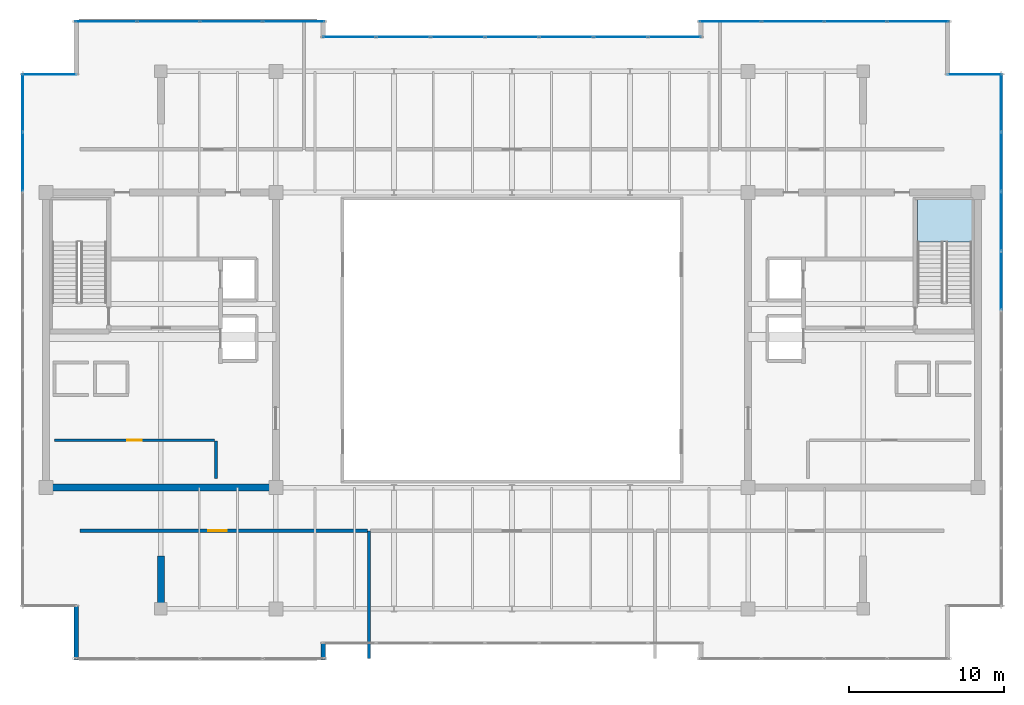
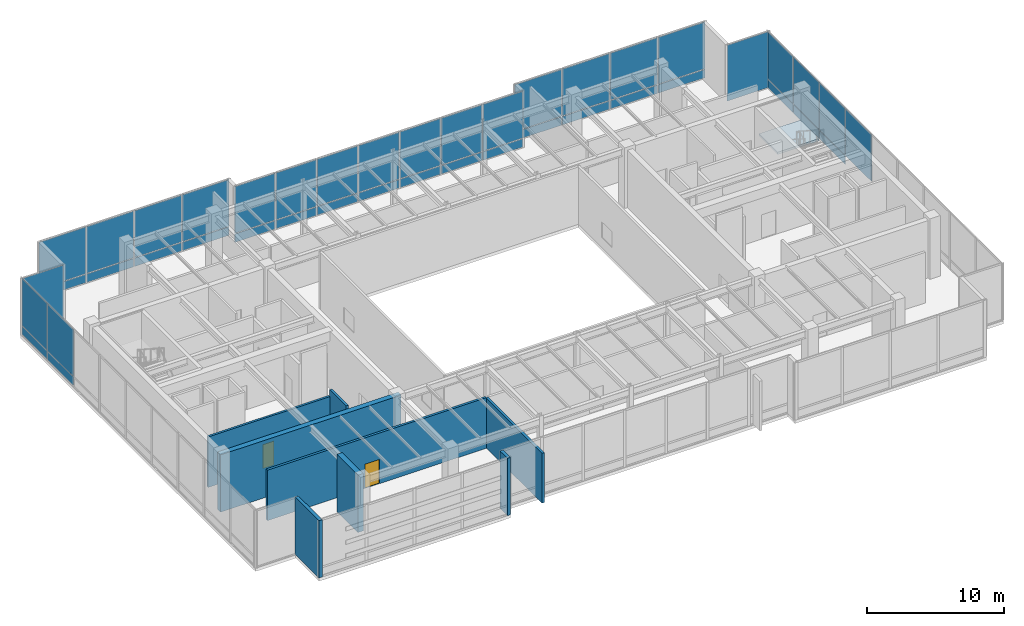
# One storey, part 24 of 30: 43 plates, 8 walls, 2 doors, 1 slab, 2 openings, 8 elements without a shape of their own.
"""IFC4 building model written with IfcOpenShell, lengths in metres."""

from ifc_helpers import new_model, si_unit, direction, frame, frame_2d, origin, origin_2d, place, context, subcontext, project, spatial, polyline, rectangle, outline, extrude, source, transform, mapped, material, layer, layer_set, type_object, type_shapes, element, fill, aggregate, save


model = new_model("IFC4")

# Units and contexts
model_context = context("Model", 3, precision=1e-05, world=origin(), true_north=direction((0.0, 1.0)))
body_context = subcontext(model_context, "Body", "Model", "MODEL_VIEW")
ifc_project = project(units=[si_unit("LENGTHUNIT", "METRE"), si_unit("AREAUNIT", "SQUARE_METRE"), si_unit("VOLUMEUNIT", "CUBIC_METRE"), si_unit("PLANEANGLEUNIT", "RADIAN"), si_unit("MASSUNIT", "GRAM", prefix="KILO")], contexts=[model_context])

# Site, building, storey
site_placement = place(None, origin())
site = spatial("IfcSite", under=ifc_project, at=site_placement, CompositionType="ELEMENT")
building_placement = place(site_placement, origin())
building = spatial("IfcBuilding", under=site, at=building_placement, Name="Haelvirn Gate Laboratories", CompositionType="ELEMENT")
storey_placement = place(building_placement, frame((0.0, 0.0, 327.0)))
storey = spatial("IfcBuildingStorey", under=building, at=storey_placement, Name="L78", CompositionType="ELEMENT", Elevation=327.0)

# Stair, slab
ifc_material_1 = material(Name="Concrete C40/50", Category="concrete")
stair_type = type_object("IfcStairType", Name="ST-DOG-1650-R30", PredefinedType="HALF_TURN_STAIR", material=ifc_material_1)
stair_placement = place(storey_placement, origin())
stair = element("IfcStair", 1, at=stair_placement, inside=storey, type_object=stair_type, Name="L78 Escape Stair ST2", PredefinedType="HALF_TURN_STAIR")
ifc_layer_1 = layer(ifc_material_1, 0.199951171875, Name="SL-STAIR-LND")
ifc_layer_set_1 = layer_set([ifc_layer_1], Name="Concrete C40/50")
slab_type = type_object("IfcSlabType", Name="SL-STAIR-LND", PredefinedType="LANDING", material=ifc_layer_set_1)
slab_placement = place(storey_placement, frame((0.0, 0.0, 2.5)))
slab = element("IfcSlab", 2, at=slab_placement, type_object=slab_type, Name="ST2 landing 1", PredefinedType="LANDING", context=body_context, shape_type="SweptSolid", body=[
    extrude(outline(polyline([(67.0, 30.6201171875), (67.0, 33.35009765625), (63.5, 33.35009765625), (63.5, 30.6201171875), (67.0, 30.6201171875)])), origin(), (0.0, 0.0, 1.0), 0.199951171875),
])
aggregate(stair, [slab])

# Curtain wall, plates
ifc_material_2 = material(Name="Anodised bronze unitised aluminium & triple low-E glass", Category="aluminium")
ifc_layer_2 = layer(ifc_material_2, 0.19189453125, Name="CW-SYS-6")
ifc_layer_set_2 = layer_set([ifc_layer_2], Name="Anodised bronze unitised aluminium & triple low-E glass")
curtain_wall_type_1 = type_object("IfcCurtainWallType", Name="CW-SYS-6", PredefinedType="NOTDEFINED", material=ifc_layer_set_2)
curtain_wall_1_placement = place(storey_placement, origin())
curtain_wall_1 = element("IfcCurtainWall", 3, at=curtain_wall_1_placement, inside=storey, type_object=curtain_wall_type_1, Name="L78 Unitised Curtain Wall CW-L78-P0-E10-1", PredefinedType="NOTDEFINED")
ifc_material_3 = material(Name="Ceramic-fritted bronze acoustic crown glazing 52 mm", Category="glass")
ifc_layer_3 = layer(ifc_material_3, 0.052001953125, Name="CWP-FRT-52")
ifc_layer_set_3 = layer_set([ifc_layer_3], Name="Ceramic-fritted bronze acoustic crown glazing 52 mm")
plate_type_1 = type_object("IfcPlateType", Name="CWP-FRT-52", PredefinedType="CURTAIN_PANEL", material=ifc_layer_set_3)
shared_shape_1 = source(origin(), body_context, "Body", "SweptSolid", [
    extrude(rectangle(XDim=3.929931640625, YDim=0.052001953125, at=origin_2d()), origin(), (0.0, 0.0, 1.0), 0.7451171875),
])
plate_1_placement = place(storey_placement, frame((51.445068359375, 44.800048828125, 0.06982421875), z_axis=(0.0, 0.0, 1.0), x_axis=(1.0, 0.0, 0.0)))
plate_1 = element("IfcPlate", 4, at=plate_1_placement, type_object=plate_type_1, Name="CW6 panel 1.1", PredefinedType="CURTAIN_PANEL", context=body_context, shape_type="MappedRepresentation", body=[
    mapped(shared_shape_1, transform((0.0, 0.0, 0.0), scale=1.0)),
])
plate_2_placement = place(storey_placement, frame((63.554931640625, 44.800048828125, 0.06982421875), z_axis=(0.0, 0.0, 1.0), x_axis=(1.0, 0.0, 0.0)))
plate_2 = element("IfcPlate", 5, at=plate_2_placement, type_object=plate_type_1, Name="CW6 panel 4.1", PredefinedType="CURTAIN_PANEL", context=body_context, shape_type="MappedRepresentation", body=[
    mapped(shared_shape_1, transform((0.0, 0.0, 0.0), scale=1.0)),
])

curtain_wall_2_placement = place(storey_placement, origin())
curtain_wall_2 = element("IfcCurtainWall", 6, at=curtain_wall_2_placement, inside=storey, type_object=curtain_wall_type_1, Name="L78 Unitised Curtain Wall CW-L78-P0-E14-1", PredefinedType="NOTDEFINED")
plate_3_placement = place(storey_placement, frame((11.2451171875, 44.800048828125, 0.06982421875), z_axis=(0.0, 0.0, 1.0), x_axis=(1.0, 0.0, 0.0)))
plate_3 = element("IfcPlate", 7, at=plate_3_placement, type_object=plate_type_1, Name="CW6 panel 1.1", PredefinedType="CURTAIN_PANEL", context=body_context, shape_type="MappedRepresentation", body=[
    mapped(shared_shape_1, transform((0.0, 0.0, 0.0), scale=1.0)),
])
plate_4_placement = place(storey_placement, frame((23.35498046875, 44.800048828125, 0.06982421875), z_axis=(0.0, 0.0, 1.0), x_axis=(1.0, 0.0, 0.0)))
plate_4 = element("IfcPlate", 8, at=plate_4_placement, type_object=plate_type_1, Name="CW6 panel 4.1", PredefinedType="CURTAIN_PANEL", context=body_context, shape_type="MappedRepresentation", body=[
    mapped(shared_shape_1, transform((0.0, 0.0, 0.0), scale=1.0)),
])

# Plate
shared_shape_2 = source(origin(), body_context, "Body", "SweptSolid", [
    extrude(rectangle(XDim=3.929931640625, YDim=0.052001953125, at=origin_2d()), origin(), (0.0, 0.0, 1.0), 4.1650390625),
])
plate_5_placement = place(storey_placement, frame((51.445068359375, 44.800048828125, 0.885009765625), z_axis=(0.0, 0.0, 1.0), x_axis=(1.0, 0.0, 0.0)))
plate_5 = element("IfcPlate", 9, at=plate_5_placement, type_object=plate_type_1, Name="CW6 panel 1.2", PredefinedType="CURTAIN_PANEL", context=body_context, shape_type="MappedRepresentation", body=[
    mapped(shared_shape_2, transform((0.0, 0.0, 0.0), scale=1.0)),
])

plate_6_placement = place(storey_placement, frame((63.554931640625, 44.800048828125, 0.885009765625), z_axis=(0.0, 0.0, 1.0), x_axis=(1.0, 0.0, 0.0)))
plate_6 = element("IfcPlate", 10, at=plate_6_placement, type_object=plate_type_1, Name="CW6 panel 4.2", PredefinedType="CURTAIN_PANEL", context=body_context, shape_type="MappedRepresentation", body=[
    mapped(shared_shape_2, transform((0.0, 0.0, 0.0), scale=1.0)),
])

plate_7_placement = place(storey_placement, frame((11.2451171875, 44.800048828125, 0.885009765625), z_axis=(0.0, 0.0, 1.0), x_axis=(1.0, 0.0, 0.0)))
plate_7 = element("IfcPlate", 11, at=plate_7_placement, type_object=plate_type_1, Name="CW6 panel 1.2", PredefinedType="CURTAIN_PANEL", context=body_context, shape_type="MappedRepresentation", body=[
    mapped(shared_shape_2, transform((0.0, 0.0, 0.0), scale=1.0)),
])

plate_8_placement = place(storey_placement, frame((23.35498046875, 44.800048828125, 0.885009765625), z_axis=(0.0, 0.0, 1.0), x_axis=(1.0, 0.0, 0.0)))
plate_8 = element("IfcPlate", 12, at=plate_8_placement, type_object=plate_type_1, Name="CW6 panel 4.2", PredefinedType="CURTAIN_PANEL", context=body_context, shape_type="MappedRepresentation", body=[
    mapped(shared_shape_2, transform((0.0, 0.0, 0.0), scale=1.0)),
])

shared_shape_3 = source(origin(), body_context, "Body", "SweptSolid", [
    extrude(rectangle(XDim=3.969970703125, YDim=0.052001953125, at=origin_2d()), origin(), (0.0, 0.0, 1.0), 0.7451171875),
])
plate_9_placement = place(storey_placement, frame((55.47509765625, 44.800048828125, 0.06982421875), z_axis=(0.0, 0.0, 1.0), x_axis=(1.0, 0.0, 0.0)))
plate_9 = element("IfcPlate", 13, at=plate_9_placement, type_object=plate_type_1, Name="CW6 panel 2.1", PredefinedType="CURTAIN_PANEL", context=body_context, shape_type="MappedRepresentation", body=[
    mapped(shared_shape_3, transform((0.0, 0.0, 0.0), scale=1.0)),
])

plate_10_placement = place(storey_placement, frame((59.52490234375, 44.800048828125, 0.06982421875), z_axis=(0.0, 0.0, 1.0), x_axis=(1.0, 0.0, 0.0)))
plate_10 = element("IfcPlate", 14, at=plate_10_placement, type_object=plate_type_1, Name="CW6 panel 3.1", PredefinedType="CURTAIN_PANEL", context=body_context, shape_type="MappedRepresentation", body=[
    mapped(shared_shape_3, transform((0.0, 0.0, 0.0), scale=1.0)),
])

plate_11_placement = place(storey_placement, frame((15.27490234375, 44.800048828125, 0.06982421875), z_axis=(0.0, 0.0, 1.0), x_axis=(1.0, 0.0, 0.0)))
plate_11 = element("IfcPlate", 15, at=plate_11_placement, type_object=plate_type_1, Name="CW6 panel 2.1", PredefinedType="CURTAIN_PANEL", context=body_context, shape_type="MappedRepresentation", body=[
    mapped(shared_shape_3, transform((0.0, 0.0, 0.0), scale=1.0)),
])

plate_12_placement = place(storey_placement, frame((19.324951171875, 44.800048828125, 0.06982421875), z_axis=(0.0, 0.0, 1.0), x_axis=(1.0, 0.0, 0.0)))
plate_12 = element("IfcPlate", 16, at=plate_12_placement, type_object=plate_type_1, Name="CW6 panel 3.1", PredefinedType="CURTAIN_PANEL", context=body_context, shape_type="MappedRepresentation", body=[
    mapped(shared_shape_3, transform((0.0, 0.0, 0.0), scale=1.0)),
])

shared_shape_4 = source(origin(), body_context, "Body", "SweptSolid", [
    extrude(rectangle(XDim=3.969970703125, YDim=0.052001953125, at=origin_2d()), origin(), (0.0, 0.0, 1.0), 4.1650390625),
])
plate_13_placement = place(storey_placement, frame((55.47509765625, 44.800048828125, 0.885009765625), z_axis=(0.0, 0.0, 1.0), x_axis=(1.0, 0.0, 0.0)))
plate_13 = element("IfcPlate", 17, at=plate_13_placement, type_object=plate_type_1, Name="CW6 panel 2.2", PredefinedType="CURTAIN_PANEL", context=body_context, shape_type="MappedRepresentation", body=[
    mapped(shared_shape_4, transform((0.0, 0.0, 0.0), scale=1.0)),
])

plate_14_placement = place(storey_placement, frame((59.52490234375, 44.800048828125, 0.885009765625), z_axis=(0.0, 0.0, 1.0), x_axis=(1.0, 0.0, 0.0)))
plate_14 = element("IfcPlate", 18, at=plate_14_placement, type_object=plate_type_1, Name="CW6 panel 3.2", PredefinedType="CURTAIN_PANEL", context=body_context, shape_type="MappedRepresentation", body=[
    mapped(shared_shape_4, transform((0.0, 0.0, 0.0), scale=1.0)),
])

aggregate(curtain_wall_1, [plate_1, plate_5, plate_9, plate_13, plate_10, plate_14, plate_2, plate_6])

plate_15_placement = place(storey_placement, frame((15.27490234375, 44.800048828125, 0.885009765625), z_axis=(0.0, 0.0, 1.0), x_axis=(1.0, 0.0, 0.0)))
plate_15 = element("IfcPlate", 19, at=plate_15_placement, type_object=plate_type_1, Name="CW6 panel 2.2", PredefinedType="CURTAIN_PANEL", context=body_context, shape_type="MappedRepresentation", body=[
    mapped(shared_shape_4, transform((0.0, 0.0, 0.0), scale=1.0)),
])

plate_16_placement = place(storey_placement, frame((19.324951171875, 44.800048828125, 0.885009765625), z_axis=(0.0, 0.0, 1.0), x_axis=(1.0, 0.0, 0.0)))
plate_16 = element("IfcPlate", 20, at=plate_16_placement, type_object=plate_type_1, Name="CW6 panel 3.2", PredefinedType="CURTAIN_PANEL", context=body_context, shape_type="MappedRepresentation", body=[
    mapped(shared_shape_4, transform((0.0, 0.0, 0.0), scale=1.0)),
])

aggregate(curtain_wall_2, [plate_3, plate_7, plate_11, plate_15, plate_12, plate_16, plate_4, plate_8])

# Curtain wall, plates
curtain_wall_3_placement = place(storey_placement, origin())
curtain_wall_3 = element("IfcCurtainWall", 21, at=curtain_wall_3_placement, inside=storey, type_object=curtain_wall_type_1, Name="L78 Unitised Curtain Wall CW-L78-P0-E12-1", PredefinedType="NOTDEFINED")
shared_shape_5 = source(origin(), body_context, "Body", "SweptSolid", [
    extrude(rectangle(XDim=3.377197265625, YDim=0.052001953125, at=origin_2d()), origin(), (0.0, 0.0, 1.0), 0.7451171875),
])
plate_17_placement = place(storey_placement, frame((26.928466796875, 43.800048828125, 0.06982421875), z_axis=(0.0, 0.0, 1.0), x_axis=(1.0, 0.0, 0.0)))
plate_17 = element("IfcPlate", 22, at=plate_17_placement, type_object=plate_type_1, Name="CW6 panel 1.1", PredefinedType="CURTAIN_PANEL", context=body_context, shape_type="MappedRepresentation", body=[
    mapped(shared_shape_5, transform((0.0, 0.0, 0.0), scale=1.0)),
])
plate_18_placement = place(storey_placement, frame((47.871337890625, 43.800048828125, 0.06982421875), z_axis=(0.0, 0.0, 1.0), x_axis=(1.0, 0.0, 0.0)))
plate_18 = element("IfcPlate", 23, at=plate_18_placement, type_object=plate_type_1, Name="CW6 panel 7.1", PredefinedType="CURTAIN_PANEL", context=body_context, shape_type="MappedRepresentation", body=[
    mapped(shared_shape_5, transform((0.0, 0.0, 0.0), scale=1.0)),
])
shared_shape_6 = source(origin(), body_context, "Body", "SweptSolid", [
    extrude(rectangle(XDim=3.377197265625, YDim=0.052001953125, at=origin_2d()), origin(), (0.0, 0.0, 1.0), 4.1650390625),
])
plate_19_placement = place(storey_placement, frame((26.928466796875, 43.800048828125, 0.885009765625), z_axis=(0.0, 0.0, 1.0), x_axis=(1.0, 0.0, 0.0)))
plate_19 = element("IfcPlate", 24, at=plate_19_placement, type_object=plate_type_1, Name="CW6 panel 1.2", PredefinedType="CURTAIN_PANEL", context=body_context, shape_type="MappedRepresentation", body=[
    mapped(shared_shape_6, transform((0.0, 0.0, 0.0), scale=1.0)),
])
plate_20_placement = place(storey_placement, frame((47.871337890625, 43.800048828125, 0.885009765625), z_axis=(0.0, 0.0, 1.0), x_axis=(1.0, 0.0, 0.0)))
plate_20 = element("IfcPlate", 25, at=plate_20_placement, type_object=plate_type_1, Name="CW6 panel 7.2", PredefinedType="CURTAIN_PANEL", context=body_context, shape_type="MappedRepresentation", body=[
    mapped(shared_shape_6, transform((0.0, 0.0, 0.0), scale=1.0)),
])
shared_shape_7 = source(origin(), body_context, "Body", "SweptSolid", [
    extrude(rectangle(XDim=3.417236328125, YDim=0.052001953125, at=origin_2d()), origin(), (0.0, 0.0, 1.0), 0.7451171875),
])
plate_21_placement = place(storey_placement, frame((30.40576171875, 43.800048828125, 0.06982421875), z_axis=(0.0, 0.0, 1.0), x_axis=(1.0, 0.0, 0.0)))
plate_21 = element("IfcPlate", 26, at=plate_21_placement, type_object=plate_type_1, Name="CW6 panel 2.1", PredefinedType="CURTAIN_PANEL", context=body_context, shape_type="MappedRepresentation", body=[
    mapped(shared_shape_7, transform((0.0, 0.0, 0.0), scale=1.0)),
])
plate_22_placement = place(storey_placement, frame((33.90283203125, 43.800048828125, 0.06982421875), z_axis=(0.0, 0.0, 1.0), x_axis=(1.0, 0.0, 0.0)))
plate_22 = element("IfcPlate", 27, at=plate_22_placement, type_object=plate_type_1, Name="CW6 panel 3.1", PredefinedType="CURTAIN_PANEL", context=body_context, shape_type="MappedRepresentation", body=[
    mapped(shared_shape_7, transform((0.0, 0.0, 0.0), scale=1.0)),
])
plate_23_placement = place(storey_placement, frame((37.39990234375, 43.800048828125, 0.06982421875), z_axis=(0.0, 0.0, 1.0), x_axis=(1.0, 0.0, 0.0)))
plate_23 = element("IfcPlate", 28, at=plate_23_placement, type_object=plate_type_1, Name="CW6 panel 4.1", PredefinedType="CURTAIN_PANEL", context=body_context, shape_type="MappedRepresentation", body=[
    mapped(shared_shape_7, transform((0.0, 0.0, 0.0), scale=1.0)),
])
plate_24_placement = place(storey_placement, frame((40.897216796875, 43.800048828125, 0.06982421875), z_axis=(0.0, 0.0, 1.0), x_axis=(1.0, 0.0, 0.0)))
plate_24 = element("IfcPlate", 29, at=plate_24_placement, type_object=plate_type_1, Name="CW6 panel 5.1", PredefinedType="CURTAIN_PANEL", context=body_context, shape_type="MappedRepresentation", body=[
    mapped(shared_shape_7, transform((0.0, 0.0, 0.0), scale=1.0)),
])
plate_25_placement = place(storey_placement, frame((44.394287109375, 43.800048828125, 0.06982421875), z_axis=(0.0, 0.0, 1.0), x_axis=(1.0, 0.0, 0.0)))
plate_25 = element("IfcPlate", 30, at=plate_25_placement, type_object=plate_type_1, Name="CW6 panel 6.1", PredefinedType="CURTAIN_PANEL", context=body_context, shape_type="MappedRepresentation", body=[
    mapped(shared_shape_7, transform((0.0, 0.0, 0.0), scale=1.0)),
])
shared_shape_8 = source(origin(), body_context, "Body", "SweptSolid", [
    extrude(rectangle(XDim=3.417236328125, YDim=0.052001953125, at=origin_2d()), origin(), (0.0, 0.0, 1.0), 4.1650390625),
])
plate_26_placement = place(storey_placement, frame((30.40576171875, 43.800048828125, 0.885009765625), z_axis=(0.0, 0.0, 1.0), x_axis=(1.0, 0.0, 0.0)))
plate_26 = element("IfcPlate", 31, at=plate_26_placement, type_object=plate_type_1, Name="CW6 panel 2.2", PredefinedType="CURTAIN_PANEL", context=body_context, shape_type="MappedRepresentation", body=[
    mapped(shared_shape_8, transform((0.0, 0.0, 0.0), scale=1.0)),
])
plate_27_placement = place(storey_placement, frame((33.90283203125, 43.800048828125, 0.885009765625), z_axis=(0.0, 0.0, 1.0), x_axis=(1.0, 0.0, 0.0)))
plate_27 = element("IfcPlate", 32, at=plate_27_placement, type_object=plate_type_1, Name="CW6 panel 3.2", PredefinedType="CURTAIN_PANEL", context=body_context, shape_type="MappedRepresentation", body=[
    mapped(shared_shape_8, transform((0.0, 0.0, 0.0), scale=1.0)),
])
plate_28_placement = place(storey_placement, frame((37.39990234375, 43.800048828125, 0.885009765625), z_axis=(0.0, 0.0, 1.0), x_axis=(1.0, 0.0, 0.0)))
plate_28 = element("IfcPlate", 33, at=plate_28_placement, type_object=plate_type_1, Name="CW6 panel 4.2", PredefinedType="CURTAIN_PANEL", context=body_context, shape_type="MappedRepresentation", body=[
    mapped(shared_shape_8, transform((0.0, 0.0, 0.0), scale=1.0)),
])
plate_29_placement = place(storey_placement, frame((40.897216796875, 43.800048828125, 0.885009765625), z_axis=(0.0, 0.0, 1.0), x_axis=(1.0, 0.0, 0.0)))
plate_29 = element("IfcPlate", 34, at=plate_29_placement, type_object=plate_type_1, Name="CW6 panel 5.2", PredefinedType="CURTAIN_PANEL", context=body_context, shape_type="MappedRepresentation", body=[
    mapped(shared_shape_8, transform((0.0, 0.0, 0.0), scale=1.0)),
])
plate_30_placement = place(storey_placement, frame((44.394287109375, 43.800048828125, 0.885009765625), z_axis=(0.0, 0.0, 1.0), x_axis=(1.0, 0.0, 0.0)))
plate_30 = element("IfcPlate", 35, at=plate_30_placement, type_object=plate_type_1, Name="CW6 panel 6.2", PredefinedType="CURTAIN_PANEL", context=body_context, shape_type="MappedRepresentation", body=[
    mapped(shared_shape_8, transform((0.0, 0.0, 0.0), scale=1.0)),
])
aggregate(curtain_wall_3, [plate_17, plate_19, plate_21, plate_26, plate_22, plate_27, plate_23, plate_28, plate_24, plate_29, plate_25, plate_30, plate_18, plate_20])

# Curtain wall, plate
ifc_layer_4 = layer(ifc_material_2, 0.181884765625, Name="CW-SYS-5")
ifc_layer_set_4 = layer_set([ifc_layer_4], Name="Anodised bronze unitised aluminium & triple low-E glass")
curtain_wall_type_2 = type_object("IfcCurtainWallType", Name="CW-SYS-5", PredefinedType="NOTDEFINED", material=ifc_layer_set_4)
curtain_wall_4_placement = place(storey_placement, origin())
curtain_wall_4 = element("IfcCurtainWall", 36, at=curtain_wall_4_placement, inside=storey, type_object=curtain_wall_type_2, Name="L78 Unitised Curtain Wall CW-L78-P0-E08-1", PredefinedType="NOTDEFINED")
ifc_material_4 = material(Name="Clear low-iron notched-corner triple IGU 42 mm", Category="glass")
ifc_layer_5 = layer(ifc_material_4, 0.0419921875, Name="CWP-NTC-42")
ifc_layer_set_5 = layer_set([ifc_layer_5], Name="Clear low-iron notched-corner triple IGU 42 mm")
plate_type_2 = type_object("IfcPlateType", Name="CWP-NTC-42", PredefinedType="CURTAIN_PANEL", material=ifc_layer_set_5)
shared_shape_9 = source(origin(), body_context, "Body", "SweptSolid", [
    extrude(rectangle(XDim=3.47998046875, YDim=0.0419921875, at=origin_2d()), origin(), (0.0, 0.0, 1.0), 4.989990234375),
])
type_shapes(plate_type_2, [shared_shape_9])
plate_31_placement = place(storey_placement, frame((67.179931640625, 41.39990234375, 0.06494140625), z_axis=(0.0, 0.0, 1.0), x_axis=(1.0, 0.0, 0.0)))
plate_31 = element("IfcPlate", 37, at=plate_31_placement, type_object=plate_type_2, Name="CW5 panel 1.1", PredefinedType="CURTAIN_PANEL", context=body_context, shape_type="MappedRepresentation", body=[
    mapped(shared_shape_9, transform((0.0, 0.0, 0.0), scale=1.0)),
])
aggregate(curtain_wall_4, [plate_31])

curtain_wall_5_placement = place(storey_placement, origin())
curtain_wall_5 = element("IfcCurtainWall", 38, at=curtain_wall_5_placement, inside=storey, type_object=curtain_wall_type_2, Name="L78 Unitised Curtain Wall CW-L78-P0-E16-1", PredefinedType="NOTDEFINED")
plate_32_placement = place(storey_placement, frame((7.6201171875, 41.39990234375, 0.06494140625), z_axis=(0.0, 0.0, 1.0), x_axis=(1.0, 0.0, 0.0)))
plate_32 = element("IfcPlate", 39, at=plate_32_placement, type_object=plate_type_2, Name="CW5 panel 1.1", PredefinedType="CURTAIN_PANEL", context=body_context, shape_type="MappedRepresentation", body=[
    mapped(shared_shape_9, transform((0.0, 0.0, 0.0), scale=1.0)),
])
aggregate(curtain_wall_5, [plate_32])

curtain_wall_6_placement = place(storey_placement, origin())
curtain_wall_6 = element("IfcCurtainWall", 40, at=curtain_wall_6_placement, inside=storey, type_object=curtain_wall_type_1, Name="L78 Unitised Curtain Wall CW-L78-P0-E07", PredefinedType="NOTDEFINED")
shared_shape_10 = source(origin(), body_context, "Body", "SweptSolid", [
    extrude(rectangle(XDim=3.7021484375, YDim=0.052001953125, at=origin_2d()), origin(), (0.0, 0.0, 1.0), 0.7451171875),
])
plate_33_placement = place(storey_placement, frame((68.89990234375, 39.56884765625, 0.06982421875), z_axis=(0.0, 0.0, 1.0), x_axis=(0.0, 1.0, 0.0)))
plate_33 = element("IfcPlate", 41, at=plate_33_placement, type_object=plate_type_1, Name="CW6 panel 9.1", PredefinedType="CURTAIN_PANEL", context=body_context, shape_type="MappedRepresentation", body=[
    mapped(shared_shape_10, transform((0.0, 0.0, 0.0), scale=1.0)),
])

curtain_wall_7_placement = place(storey_placement, origin())
curtain_wall_7 = element("IfcCurtainWall", 42, at=curtain_wall_7_placement, inside=storey, type_object=curtain_wall_type_1, Name="L78 Unitised Curtain Wall CW-L78-P0-E17", PredefinedType="NOTDEFINED")
plate_34_placement = place(storey_placement, frame((5.89990234375, 39.56884765625, 0.06982421875), z_axis=(0.0, 0.0, 1.0), x_axis=(0.0, -1.0, 0.0)))
plate_34 = element("IfcPlate", 43, at=plate_34_placement, type_object=plate_type_1, Name="CW6 panel 1.1", PredefinedType="CURTAIN_PANEL", context=body_context, shape_type="MappedRepresentation", body=[
    mapped(shared_shape_10, transform((0.0, 0.0, 0.0), scale=1.0)),
])

# Plate
shared_shape_11 = source(origin(), body_context, "Body", "SweptSolid", [
    extrude(rectangle(XDim=3.7021484375, YDim=0.052001953125, at=origin_2d()), origin(), (0.0, 0.0, 1.0), 4.1650390625),
])
plate_35_placement = place(storey_placement, frame((68.89990234375, 39.56884765625, 0.885009765625), z_axis=(0.0, 0.0, 1.0), x_axis=(0.0, 1.0, 0.0)))
plate_35 = element("IfcPlate", 44, at=plate_35_placement, type_object=plate_type_1, Name="CW6 panel 9.2", PredefinedType="CURTAIN_PANEL", context=body_context, shape_type="MappedRepresentation", body=[
    mapped(shared_shape_11, transform((0.0, 0.0, 0.0), scale=1.0)),
])

plate_36_placement = place(storey_placement, frame((5.89990234375, 39.56884765625, 0.885009765625), z_axis=(0.0, 0.0, 1.0), x_axis=(0.0, -1.0, 0.0)))
plate_36 = element("IfcPlate", 45, at=plate_36_placement, type_object=plate_type_1, Name="CW6 panel 1.2", PredefinedType="CURTAIN_PANEL", context=body_context, shape_type="MappedRepresentation", body=[
    mapped(shared_shape_11, transform((0.0, 0.0, 0.0), scale=1.0)),
])

shared_shape_12 = source(origin(), body_context, "Body", "SweptSolid", [
    extrude(rectangle(XDim=3.7421875, YDim=0.052001953125, at=origin_2d()), origin(), (0.0, 0.0, 1.0), 0.7451171875),
])
plate_37_placement = place(storey_placement, frame((68.89990234375, 31.9443359375, 0.06982421875), z_axis=(0.0, 0.0, 1.0), x_axis=(0.0, 1.0, 0.0)))
plate_37 = element("IfcPlate", 46, at=plate_37_placement, type_object=plate_type_1, Name="CW6 panel 7.1", PredefinedType="CURTAIN_PANEL", context=body_context, shape_type="MappedRepresentation", body=[
    mapped(shared_shape_12, transform((0.0, 0.0, 0.0), scale=1.0)),
])

plate_38_placement = place(storey_placement, frame((68.89990234375, 35.7666015625, 0.06982421875), z_axis=(0.0, 0.0, 1.0), x_axis=(0.0, 1.0, 0.0)))
plate_38 = element("IfcPlate", 47, at=plate_38_placement, type_object=plate_type_1, Name="CW6 panel 8.1", PredefinedType="CURTAIN_PANEL", context=body_context, shape_type="MappedRepresentation", body=[
    mapped(shared_shape_12, transform((0.0, 0.0, 0.0), scale=1.0)),
])

plate_39_placement = place(storey_placement, frame((5.89990234375, 35.7666015625, 0.06982421875), z_axis=(0.0, 0.0, 1.0), x_axis=(0.0, -1.0, 0.0)))
plate_39 = element("IfcPlate", 48, at=plate_39_placement, type_object=plate_type_1, Name="CW6 panel 2.1", PredefinedType="CURTAIN_PANEL", context=body_context, shape_type="MappedRepresentation", body=[
    mapped(shared_shape_12, transform((0.0, 0.0, 0.0), scale=1.0)),
])

shared_shape_13 = source(origin(), body_context, "Body", "SweptSolid", [
    extrude(rectangle(XDim=3.7421875, YDim=0.052001953125, at=origin_2d()), origin(), (0.0, 0.0, 1.0), 4.1650390625),
])
type_shapes(plate_type_1, [shared_shape_1, shared_shape_2, shared_shape_3, shared_shape_4, shared_shape_5, shared_shape_6, shared_shape_7, shared_shape_8, shared_shape_10, shared_shape_11, shared_shape_12, shared_shape_13])
plate_40_placement = place(storey_placement, frame((68.89990234375, 28.122314453125, 0.885009765625), z_axis=(0.0, 0.0, 1.0), x_axis=(0.0, 1.0, 0.0)))
plate_40 = element("IfcPlate", 49, at=plate_40_placement, type_object=plate_type_1, Name="CW6 panel 6.2", PredefinedType="CURTAIN_PANEL", context=body_context, shape_type="MappedRepresentation", body=[
    mapped(shared_shape_13, transform((0.0, 0.0, 0.0), scale=1.0)),
])

plate_41_placement = place(storey_placement, frame((68.89990234375, 31.9443359375, 0.885009765625), z_axis=(0.0, 0.0, 1.0), x_axis=(0.0, 1.0, 0.0)))
plate_41 = element("IfcPlate", 50, at=plate_41_placement, type_object=plate_type_1, Name="CW6 panel 7.2", PredefinedType="CURTAIN_PANEL", context=body_context, shape_type="MappedRepresentation", body=[
    mapped(shared_shape_13, transform((0.0, 0.0, 0.0), scale=1.0)),
])

plate_42_placement = place(storey_placement, frame((68.89990234375, 35.7666015625, 0.885009765625), z_axis=(0.0, 0.0, 1.0), x_axis=(0.0, 1.0, 0.0)))
plate_42 = element("IfcPlate", 51, at=plate_42_placement, type_object=plate_type_1, Name="CW6 panel 8.2", PredefinedType="CURTAIN_PANEL", context=body_context, shape_type="MappedRepresentation", body=[
    mapped(shared_shape_13, transform((0.0, 0.0, 0.0), scale=1.0)),
])

aggregate(curtain_wall_6, [plate_40, plate_37, plate_41, plate_38, plate_42, plate_33, plate_35])

plate_43_placement = place(storey_placement, frame((5.89990234375, 35.7666015625, 0.885009765625), z_axis=(0.0, 0.0, 1.0), x_axis=(0.0, -1.0, 0.0)))
plate_43 = element("IfcPlate", 52, at=plate_43_placement, type_object=plate_type_1, Name="CW6 panel 2.2", PredefinedType="CURTAIN_PANEL", context=body_context, shape_type="MappedRepresentation", body=[
    mapped(shared_shape_13, transform((0.0, 0.0, 0.0), scale=1.0)),
])

aggregate(curtain_wall_7, [plate_34, plate_36, plate_39, plate_43])

# Walls
ifc_material_5 = material(Name="Thermally-broken bronze aluminium rainscreen & mineral wool", Category="aluminium")
ifc_layer_6 = layer(ifc_material_5, 0.280029296875, Name="EW-TERR-280")
ifc_layer_set_6 = layer_set([ifc_layer_6], Name="Thermally-broken bronze aluminium rainscreen & mineral wool")
wall_type_1 = type_object("IfcWallType", Name="EW-TERR-280", PredefinedType="STANDARD", material=ifc_layer_set_6)
wall_1_placement = place(storey_placement, frame((25.260009765625, 3.699951171875, 0.0), z_axis=(0.0, 0.0, 1.0), x_axis=(0.0, 1.0, 0.0)))
element("IfcWall", 53, at=wall_1_placement, inside=storey, type_object=wall_type_1, Name="L78 Atrium Recess Bronze Return Wall 01", PredefinedType="STANDARD", context=body_context, shape_type="SweptSolid", body=[
    extrude(rectangle(XDim=1.0830078125, YDim=0.280029296875, at=frame_2d((0.54150390625, 0.0))), origin(), (0.0, 0.0, 1.0), 5.1201171875),
])
wall_2_placement = place(storey_placement, frame((9.340087890625, 7.18798828125, 0.0), z_axis=(0.0, 0.0, 1.0), x_axis=(0.0, -1.0, 0.0)))
element("IfcWall", 54, at=wall_2_placement, inside=storey, type_object=wall_type_1, Name="L78 Atrium Recess Bronze Return Wall 19", PredefinedType="STANDARD", context=body_context, shape_type="SweptSolid", body=[
    extrude(rectangle(XDim=3.488037109375, YDim=0.280029296875, at=frame_2d((1.744140625, 0.0))), origin(), (0.0, 0.0, 1.0), 5.1201171875),
])

# Wall, opening, door
ifc_layer_7 = layer(ifc_material_1, 0.179931640625, Name="IW-SHAFT-180")
ifc_layer_set_7 = layer_set([ifc_layer_7], Name="Concrete C40/50")
wall_type_2 = type_object("IfcWallType", Name="IW-SHAFT-180", PredefinedType="SOLIDWALL", material=ifc_layer_set_7)
wall_3_placement = place(storey_placement, frame((7.949951171875, 17.85009765625, 0.0), z_axis=(0.0, 0.0, 1.0), x_axis=(1.0, 0.0, 0.0)))
wall_3 = element("IfcWall", 55, at=wall_3_placement, inside=storey, type_object=wall_type_2, Name="L78 Interior Wall IW-L78-W-FREED-HN-1", PredefinedType="SOLIDWALL", context=body_context, shape_type="SweptSolid", body=[
    extrude(rectangle(XDim=10.300048828125, YDim=0.179931640625, at=frame_2d((5.14990234375, 0.0))), origin(), (0.0, 0.0, 1.0), 4.51708984375),
])
opening_1_placement = place(wall_3_placement, frame((4.675048828125, 0.0, 0.0)))
opening_1 = element("IfcOpeningElement", 56, at=opening_1_placement, cuts=wall_3, Name="Opening FD4", PredefinedType="OPENING", context=body_context, shape_type="SweptSolid", body=[
    extrude(rectangle(XDim=0.949951171875, YDim=2.14990234375, at=frame_2d((0.47509765625, 1.074951171875))), frame((0.0, 0.10009765625, 0.0), z_axis=(0.0, -1.0, 0.0), x_axis=(1.0, 0.0, 0.0)), (0.0, 0.0, 1.0), 0.199951171875),
])
ifc_material_6 = material(Name="Fire-rated steel SM355 core service door", Category="steel")
door_type_1 = type_object("IfcDoorType", Name="DR-FD-950", OperationType="NOTDEFINED", PredefinedType="DOOR", material=ifc_material_6)
shared_shape_14 = source(origin(), body_context, "Body", "SweptSolid", [
    extrude(rectangle(XDim=0.949951171875, YDim=2.14990234375, at=frame_2d((0.47509765625, 1.074951171875))), frame((0.0, 0.02490234375, 0.0), z_axis=(0.0, -1.0, 0.0), x_axis=(1.0, 0.0, 0.0)), (0.0, 0.0, 1.0), 0.050048828125),
])
type_shapes(door_type_1, [shared_shape_14])
door_1_placement = place(opening_1_placement, origin())
door_1 = element("IfcDoor", 57, at=door_1_placement, inside=storey, type_object=door_type_1, Name="L78 High-Zone Cryogenic Biobank Vault Door", OperationType="SINGLE_SWING_LEFT", OverallHeight=2.14990234375, OverallWidth=0.949951171875, PredefinedType="DOOR", context=body_context, shape_type="MappedRepresentation", body=[
    mapped(shared_shape_14, transform((0.0, 0.0, 0.0), scale=1.0)),
])
fill(opening_1, door_1)

# Wall
wall_4_placement = place(storey_placement, frame((18.340087890625, 15.39990234375, 0.0), z_axis=(0.0, 0.0, 1.0), x_axis=(0.0, 1.0, 0.0)))
element("IfcWall", 58, at=wall_4_placement, inside=storey, type_object=wall_type_2, Name="L78 Interior Wall IW-L78-W-FREED-HE-1", PredefinedType="SOLIDWALL", context=body_context, shape_type="SweptSolid", body=[
    extrude(rectangle(XDim=2.400146484375, YDim=0.179931640625, at=frame_2d((1.2001953125, 0.0))), origin(), (0.0, 0.0, 1.0), 5.1201171875),
])

# Wall, opening, door
ifc_layer_8 = layer(ifc_material_1, 0.199951171875, Name="IW-SHAFT-200")
ifc_layer_set_8 = layer_set([ifc_layer_8], Name="Concrete C40/50")
wall_type_3 = type_object("IfcWallType", Name="IW-SHAFT-200", PredefinedType="SOLIDWALL", material=ifc_layer_set_8)
wall_5_placement = place(storey_placement, frame((9.60009765625, 12.02001953125, 0.0), z_axis=(0.0, 0.0, 1.0), x_axis=(1.0, 0.0, 0.0)))
wall_5 = element("IfcWall", 59, at=wall_5_placement, inside=storey, type_object=wall_type_3, Name="L78 Interior Wall IW-L78-PSW-1", PredefinedType="SOLIDWALL", context=body_context, shape_type="SweptSolid", body=[
    extrude(rectangle(XDim=18.5, YDim=0.199951171875, at=frame_2d((9.25, 0.0))), origin(), (0.0, 0.0, 1.0), 4.51708984375),
])
opening_2_placement = place(wall_5_placement, frame((8.24609375, 0.0, 0.0)))
opening_2 = element("IfcOpeningElement", 60, at=opening_2_placement, cuts=wall_5, Name="Opening FD2", PredefinedType="OPENING", context=body_context, shape_type="SweptSolid", body=[
    extrude(rectangle(XDim=1.199951171875, YDim=2.159912109375, at=frame_2d((0.60009765625, 1.080078125))), frame((0.0, 0.10986328125, 0.0), z_axis=(0.0, -1.0, 0.0), x_axis=(1.0, 0.0, 0.0)), (0.0, 0.0, 1.0), 0.219970703125),
])
ifc_material_7 = material(Name="Fire-rated steel SM355 compartment door", Category="steel")
door_type_2 = type_object("IfcDoorType", Name="DR-FD-1200", OperationType="NOTDEFINED", PredefinedType="DOOR", material=ifc_material_7)
shared_shape_15 = source(origin(), body_context, "Body", "SweptSolid", [
    extrude(rectangle(XDim=1.199951171875, YDim=2.159912109375, at=frame_2d((0.60009765625, 1.080078125))), frame((0.0, 0.02490234375, 0.0), z_axis=(0.0, -1.0, 0.0), x_axis=(1.0, 0.0, 0.0)), (0.0, 0.0, 1.0), 0.050048828125),
])
type_shapes(door_type_2, [shared_shape_15])
door_2_placement = place(opening_2_placement, origin())
door_2 = element("IfcDoor", 61, at=door_2_placement, inside=storey, type_object=door_type_2, Name="L78 Crown Acid-Gas Wet Scrubber Plant Fire Door", OperationType="SINGLE_SWING_LEFT", OverallHeight=2.159912109375, OverallWidth=1.199951171875, PredefinedType="DOOR", context=body_context, shape_type="MappedRepresentation", body=[
    mapped(shared_shape_15, transform((0.0, 0.0, 0.0), scale=1.0)),
])
fill(opening_2, door_2)

# Walls
wall_6_placement = place(storey_placement, frame((28.199951171875, 3.81005859375, 0.0), z_axis=(0.0, 0.0, 1.0), x_axis=(0.0, 1.0, 0.0)))
element("IfcWall", 62, at=wall_6_placement, inside=storey, type_object=wall_type_3, Name="L78 Interior Wall IW-L78-PSDIV-1", PredefinedType="SOLIDWALL", context=body_context, shape_type="SweptSolid", body=[
    extrude(rectangle(XDim=8.2099609375, YDim=0.199951171875, at=frame_2d((4.10498046875, 0.0))), origin(), (0.0, 0.0, 1.0), 4.455078125),
])
ifc_material_8 = material(Name="Concrete C50/60", Category="concrete")
ifc_layer_9 = layer(ifc_material_8, 0.449951171875, Name="SW-CORE-450")
ifc_layer_set_9 = layer_set([ifc_layer_9], Name="Concrete C50/60")
wall_type_4 = type_object("IfcWallType", Name="SW-CORE-450", PredefinedType="SHEAR", material=ifc_layer_set_9)
wall_7_placement = place(storey_placement, frame((7.175048828125, 14.800048828125, 0.0), z_axis=(0.0, 0.0, 1.0), x_axis=(1.0, 0.0, 0.0)))
element("IfcWall", 63, at=wall_7_placement, inside=storey, type_object=wall_type_4, Name="L78 W Core Shear Wall S", PredefinedType="SHEAR", context=body_context, shape_type="SweptSolid", body=[
    extrude(rectangle(XDim=15.25, YDim=0.449951171875, at=frame_2d((7.625, 0.0))), origin(), (0.0, 0.0, 1.0), 5.1201171875),
])
wall_8_placement = place(storey_placement, frame((14.800048828125, 7.300048828125, 0.0), z_axis=(0.0, 0.0, 1.0), x_axis=(0.0, 1.0, 0.0)))
element("IfcWall", 64, at=wall_8_placement, inside=storey, type_object=wall_type_4, Name="L78 Transverse Slab Shear Wall W-S", PredefinedType="SHEAR", context=body_context, shape_type="SweptSolid", body=[
    extrude(rectangle(XDim=3.099853515625, YDim=0.449951171875, at=frame_2d((1.5498046875, 0.0))), origin(), (0.0, 0.0, 1.0), 5.1201171875),
])

save(model, "model.ifc")
